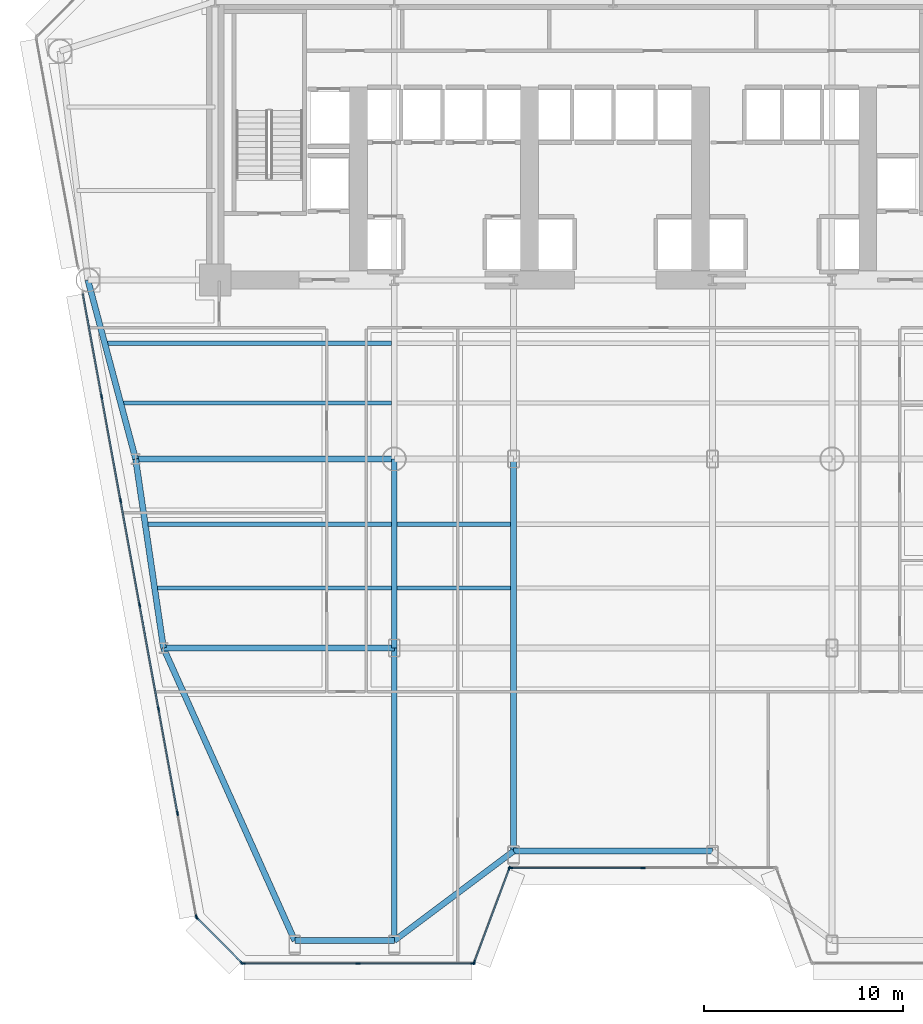
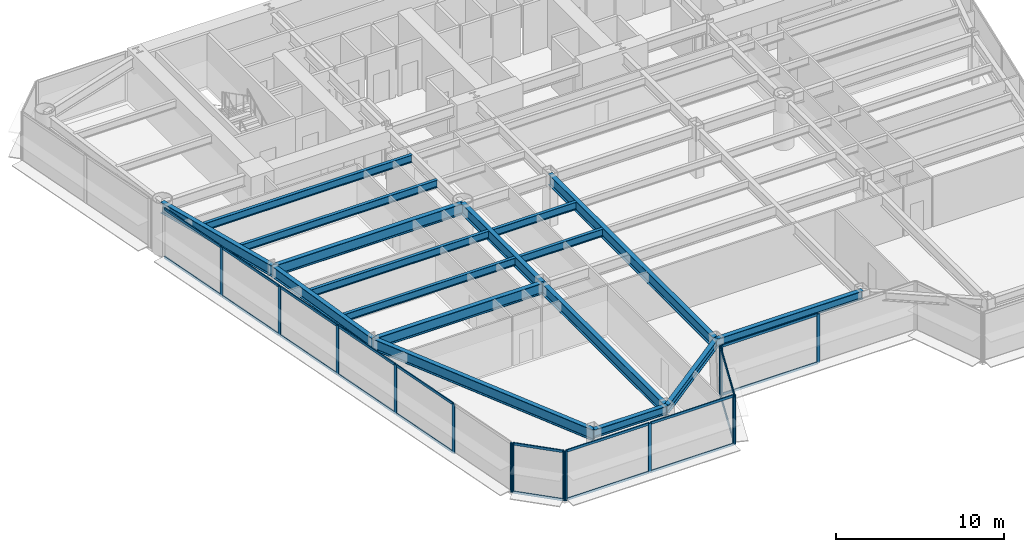
# One storey, part 2 of 14: 35 members, 17 beams, 5 elements without a shape of their own.
"""IFC4 building model written with IfcOpenShell, lengths in metres."""

from ifc_helpers import new_model, si_unit, direction, frame, origin, origin_2d, place, context, subcontext, project, spatial, rectangle, i_section, extrude, source, transform, mapped, material, layer, layer_set, material_profile, profile_set, type_object, element, aggregate, save


model = new_model("IFC4")

# Units and contexts
model_context = context("Model", 3, precision=1e-05, world=origin(), true_north=direction((0.0, 1.0)))
body_context = subcontext(model_context, "Body", "Model", "MODEL_VIEW")
ifc_project = project(units=[si_unit("LENGTHUNIT", "METRE"), si_unit("AREAUNIT", "SQUARE_METRE"), si_unit("VOLUMEUNIT", "CUBIC_METRE"), si_unit("PLANEANGLEUNIT", "RADIAN"), si_unit("MASSUNIT", "GRAM", prefix="KILO")], contexts=[model_context])

# Site, building, storey
site_placement = place(None, origin())
site = spatial("IfcSite", under=ifc_project, at=site_placement, CompositionType="ELEMENT")
building_placement = place(site_placement, origin())
building = spatial("IfcBuilding", under=site, at=building_placement, Name="Vaeldorn Concourse Tower", CompositionType="ELEMENT")
storey_placement = place(building_placement, frame((0.0, 0.0, 53.0)))
storey = spatial("IfcBuildingStorey", under=building, at=storey_placement, Name="L13", CompositionType="ELEMENT", Elevation=53.0)

# Beams
ifc_material_1 = material(Name="Steel S355", Category="steel")
ifc_material_profile_1 = material_profile(ifc_material_1, i_section(OverallWidth=0.300048828125, OverallDepth=0.800048828125, WebThickness=0.017578125, FlangeThickness=0.032958984375, FilletRadius=0.030029296875, at=origin_2d()), Name="HEB 800")
ifc_profile_set_1 = profile_set([ifc_material_profile_1], Name="Steel S355")
beam_type_1 = type_object("IfcBeamType", Name="BM-PG-HEB800", PredefinedType="BEAM", material=ifc_profile_set_1)
shared_shape_1 = source(origin(), body_context, "Body", "SweptSolid", [
    extrude(i_section(OverallWidth=0.300048828125, OverallDepth=0.800048828125, WebThickness=0.017578125, FlangeThickness=0.032958984375, FilletRadius=0.030029296875, at=origin_2d()), origin(), (0.0, 0.0, 1.0), 9.314453125),
])
beam_1_placement = place(storey_placement, frame((7.60009765625, 36.5, 3.179931640625), z_axis=(0.257652862255, -0.966237549763, 0.0), x_axis=(0.966237549763, 0.257652862255, 0.0)))
element("IfcBeam", 1, at=beam_1_placement, inside=storey, type_object=beam_type_1, Name="Beam BM-L13-C-NW2-C-FLW1", PredefinedType="BEAM", context=body_context, shape_type="MappedRepresentation", body=[
    mapped(shared_shape_1, transform((0.0, 0.0, 0.0), scale=1.0)),
])
shared_shape_2 = source(origin(), body_context, "Body", "SweptSolid", [
    extrude(i_section(OverallWidth=0.300048828125, OverallDepth=0.800048828125, WebThickness=0.017578125, FlangeThickness=0.032958984375, FilletRadius=0.030029296875, at=origin_2d()), origin(), (0.0, 0.0, 1.0), 13.0),
])
beam_2_placement = place(storey_placement, frame((10.0, 27.5, 3.179931640625), z_axis=(1.0, 0.0, 0.0), x_axis=(0.0, 1.0, 0.0)))
element("IfcBeam", 2, at=beam_2_placement, inside=storey, type_object=beam_type_1, Name="Beam BM-L13-C-FLW1-C-TW1", PredefinedType="BEAM", context=body_context, shape_type="MappedRepresentation", body=[
    mapped(shared_shape_2, transform((0.0, 0.0, 0.0), scale=1.0)),
])
ifc_material_profile_2 = material_profile(ifc_material_1, i_section(OverallWidth=0.300048828125, OverallDepth=0.60009765625, WebThickness=0.015380859375, FlangeThickness=0.030029296875, FilletRadius=0.027099609375, at=origin_2d()), Name="HEB 600")
ifc_profile_set_2 = profile_set([ifc_material_profile_2], Name="Steel S355")
beam_type_2 = type_object("IfcBeamType", Name="BM-SP-HEB600", PredefinedType="SPANDREL", material=ifc_profile_set_2)
shared_shape_3 = source(origin(), body_context, "Body", "SweptSolid", [
    extrude(i_section(OverallWidth=0.300048828125, OverallDepth=0.60009765625, WebThickness=0.015380859375, FlangeThickness=0.030029296875, FilletRadius=0.027099609375, at=origin_2d()), origin(), (0.0, 0.0, 1.0), 5.0),
])
beam_3_placement = place(storey_placement, frame((18.0, 3.290771484375, 3.280029296875), z_axis=(1.0, 0.0, 0.0), x_axis=(0.0, 1.0, 0.0)))
element("IfcBeam", 3, at=beam_3_placement, inside=storey, type_object=beam_type_2, Name="Beam BM-L13-C-SF1-C-SF2", PredefinedType="SPANDREL", context=body_context, shape_type="MappedRepresentation", body=[
    mapped(shared_shape_3, transform((0.0, 0.0, 0.0), scale=1.0)),
])
shared_shape_4 = source(origin(), body_context, "Body", "SweptSolid", [
    extrude(i_section(OverallWidth=0.300048828125, OverallDepth=0.60009765625, WebThickness=0.015380859375, FlangeThickness=0.030029296875, FilletRadius=0.027099609375, at=origin_2d()), origin(), (0.0, 0.0, 1.0), 7.5),
])
beam_4_placement = place(storey_placement, frame((23.0, 3.290771484375, 3.280029296875), z_axis=(0.8, 0.6, 0.0), x_axis=(-0.6, 0.8, 0.0)))
element("IfcBeam", 4, at=beam_4_placement, inside=storey, type_object=beam_type_2, Name="Beam BM-L13-C-SF2-C-SF3", PredefinedType="SPANDREL", context=body_context, shape_type="MappedRepresentation", body=[
    mapped(shared_shape_4, transform((0.0, 0.0, 0.0), scale=1.0)),
])
shared_shape_5 = source(origin(), body_context, "Body", "SweptSolid", [
    extrude(i_section(OverallWidth=0.300048828125, OverallDepth=0.60009765625, WebThickness=0.015380859375, FlangeThickness=0.030029296875, FilletRadius=0.027099609375, at=origin_2d()), origin(), (0.0, 0.0, 1.0), 10.0),
])
beam_5_placement = place(storey_placement, frame((29.0, 7.790771484375, 3.280029296875), z_axis=(1.0, 0.0, 0.0), x_axis=(0.0, 1.0, 0.0)))
element("IfcBeam", 5, at=beam_5_placement, inside=storey, type_object=beam_type_2, Name="Beam BM-L13-C-SF3-C-SF4", PredefinedType="SPANDREL", context=body_context, shape_type="MappedRepresentation", body=[
    mapped(shared_shape_5, transform((0.0, 0.0, 0.0), scale=1.0)),
])
shared_shape_6 = source(origin(), body_context, "Body", "SweptSolid", [
    extrude(i_section(OverallWidth=0.300048828125, OverallDepth=0.800048828125, WebThickness=0.017578125, FlangeThickness=0.032958984375, FilletRadius=0.030029296875, at=origin_2d()), origin(), (0.0, 0.0, 1.0), 9.6025390625),
])
beam_6_placement = place(storey_placement, frame((10.0, 27.5, 3.179931640625), z_axis=(0.145783835977, -0.989316467652, 0.0), x_axis=(0.989316467652, 0.145783835977, 0.0)))
element("IfcBeam", 6, at=beam_6_placement, inside=storey, type_object=beam_type_1, Name="Beam BM-L13-C-FLW1-C-FLW2", PredefinedType="BEAM", context=body_context, shape_type="MappedRepresentation", body=[
    mapped(shared_shape_6, transform((0.0, 0.0, 0.0), scale=1.0)),
])
shared_shape_7 = source(origin(), body_context, "Body", "SweptSolid", [
    extrude(i_section(OverallWidth=0.300048828125, OverallDepth=0.800048828125, WebThickness=0.017578125, FlangeThickness=0.032958984375, FilletRadius=0.030029296875, at=origin_2d()), origin(), (0.0, 0.0, 1.0), 11.60009765625),
])
beam_7_placement = place(storey_placement, frame((11.39990234375, 18.0, 3.179931640625), z_axis=(1.0, 0.0, 0.0), x_axis=(0.0, 1.0, 0.0)))
element("IfcBeam", 7, at=beam_7_placement, inside=storey, type_object=beam_type_1, Name="Beam BM-L13-C-FLW2-C-TW5", PredefinedType="BEAM", context=body_context, shape_type="MappedRepresentation", body=[
    mapped(shared_shape_7, transform((0.0, 0.0, 0.0), scale=1.0)),
])
shared_shape_8 = source(origin(), body_context, "Body", "SweptSolid", [
    extrude(i_section(OverallWidth=0.300048828125, OverallDepth=0.800048828125, WebThickness=0.017578125, FlangeThickness=0.032958984375, FilletRadius=0.030029296875, at=origin_2d()), origin(), (0.0, 0.0, 1.0), 9.5),
])
beam_8_placement = place(storey_placement, frame((23.0, 18.0, 3.179931640625), z_axis=(0.0, 1.0, 0.0), x_axis=(-1.0, 0.0, 0.0)))
element("IfcBeam", 8, at=beam_8_placement, inside=storey, type_object=beam_type_1, Name="Beam BM-L13-C-TW5-C-TW1", PredefinedType="BEAM", context=body_context, shape_type="MappedRepresentation", body=[
    mapped(shared_shape_8, transform((0.0, 0.0, 0.0), scale=1.0)),
])
ifc_material_profile_3 = material_profile(ifc_material_1, i_section(OverallWidth=0.2099609375, OverallDepth=0.550048828125, WebThickness=0.010986328125, FlangeThickness=0.01708984375, FilletRadius=0.02392578125, at=origin_2d()), Name="IPE 550")
ifc_profile_set_3 = profile_set([ifc_material_profile_3], Name="Steel S355")
beam_type_3 = type_object("IfcBeamType", Name="BM-JS-IPE550", PredefinedType="JOIST", material=ifc_profile_set_3)
shared_shape_9 = source(origin(), body_context, "Body", "SweptSolid", [
    extrude(i_section(OverallWidth=0.2099609375, OverallDepth=0.550048828125, WebThickness=0.010986328125, FlangeThickness=0.01708984375, FilletRadius=0.02392578125, at=origin_2d()), origin(), (0.0, 0.0, 1.0), 5.7001953125),
])
for number, where, z_axis, x_axis, name in (
    (9, (23.14990234375, 21.02001953125, 3.304931640625), (1.0, 0.0, 0.0), (0.0, 1.0, 0.0), "Beam JS-L13-W2-210"),
    (10, (23.14990234375, 24.219970703125, 3.304931640625), (1.0, 0.0, 0.0), (0.0, 1.0, 0.0), "Beam JS-L13-W2-242"),
):
    element("IfcBeam", number, at=place(storey_placement, frame(where, z_axis=z_axis, x_axis=x_axis)), inside=storey, type_object=beam_type_3, Name=name, PredefinedType="JOIST", context=body_context, shape_type="MappedRepresentation", body=[
        mapped(shared_shape_9, transform((0.0, 0.0, 0.0), scale=1.0)),
    ])
shared_shape_10 = source(origin(), body_context, "Body", "SweptSolid", [
    extrude(i_section(OverallWidth=0.2099609375, OverallDepth=0.550048828125, WebThickness=0.010986328125, FlangeThickness=0.01708984375, FilletRadius=0.02392578125, at=origin_2d()), origin(), (0.0, 0.0, 1.0), 11.7451171875),
])
beam_9_placement = place(storey_placement, frame((11.10498046875, 21.02001953125, 3.304931640625), z_axis=(1.0, 0.0, 0.0), x_axis=(0.0, 1.0, 0.0)))
element("IfcBeam", 11, at=beam_9_placement, inside=storey, type_object=beam_type_3, Name="Beam JS-L13-W1-210", PredefinedType="JOIST", context=body_context, shape_type="MappedRepresentation", body=[
    mapped(shared_shape_10, transform((0.0, 0.0, 0.0), scale=1.0)),
])
shared_shape_11 = source(origin(), body_context, "Body", "SweptSolid", [
    extrude(i_section(OverallWidth=0.2099609375, OverallDepth=0.550048828125, WebThickness=0.010986328125, FlangeThickness=0.01708984375, FilletRadius=0.02392578125, at=origin_2d()), origin(), (0.0, 0.0, 1.0), 12.216796875),
])
beam_10_placement = place(storey_placement, frame((10.63330078125, 24.219970703125, 3.304931640625), z_axis=(1.0, 0.0, 0.0), x_axis=(0.0, 1.0, 0.0)))
element("IfcBeam", 12, at=beam_10_placement, inside=storey, type_object=beam_type_3, Name="Beam JS-L13-W1-242", PredefinedType="JOIST", context=body_context, shape_type="MappedRepresentation", body=[
    mapped(shared_shape_11, transform((0.0, 0.0, 0.0), scale=1.0)),
])
shared_shape_12 = source(origin(), body_context, "Body", "SweptSolid", [
    extrude(i_section(OverallWidth=0.2099609375, OverallDepth=0.550048828125, WebThickness=0.010986328125, FlangeThickness=0.01708984375, FilletRadius=0.02392578125, at=origin_2d()), origin(), (0.0, 0.0, 1.0), 13.4521484375),
])
beam_11_placement = place(storey_placement, frame((9.39794921875, 30.320068359375, 3.304931640625), z_axis=(1.0, 0.0, 0.0), x_axis=(0.0, 1.0, 0.0)))
element("IfcBeam", 13, at=beam_11_placement, inside=storey, type_object=beam_type_3, Name="Beam JS-L13-W1-303", PredefinedType="JOIST", context=body_context, shape_type="MappedRepresentation", body=[
    mapped(shared_shape_12, transform((0.0, 0.0, 0.0), scale=1.0)),
])
shared_shape_13 = source(origin(), body_context, "Body", "SweptSolid", [
    extrude(i_section(OverallWidth=0.2099609375, OverallDepth=0.550048828125, WebThickness=0.010986328125, FlangeThickness=0.01708984375, FilletRadius=0.02392578125, at=origin_2d()), origin(), (0.0, 0.0, 1.0), 14.252197265625),
])
beam_12_placement = place(storey_placement, frame((8.597900390625, 33.320068359375, 3.304931640625), z_axis=(1.0, 0.0, 0.0), x_axis=(0.0, 1.0, 0.0)))
element("IfcBeam", 14, at=beam_12_placement, inside=storey, type_object=beam_type_3, Name="Beam JS-L13-W1-333", PredefinedType="JOIST", context=body_context, shape_type="MappedRepresentation", body=[
    mapped(shared_shape_13, transform((0.0, 0.0, 0.0), scale=1.0)),
])
shared_shape_14 = source(origin(), body_context, "Body", "SweptSolid", [
    extrude(i_section(OverallWidth=0.300048828125, OverallDepth=0.800048828125, WebThickness=0.017578125, FlangeThickness=0.032958984375, FilletRadius=0.030029296875, at=origin_2d()), origin(), (0.0, 0.0, 1.0), 16.1220703125),
])
beam_13_placement = place(storey_placement, frame((18.0, 3.290771484375, 3.179931640625), z_axis=(-0.409381547022, 0.912363276857, 0.0), x_axis=(-0.912363276857, -0.409381547022, 0.0)))
element("IfcBeam", 15, at=beam_13_placement, inside=storey, type_object=beam_type_1, Name="Beam BM-L13-C-SF1-C-FLW2", PredefinedType="BEAM", context=body_context, shape_type="MappedRepresentation", body=[
    mapped(shared_shape_14, transform((0.0, 0.0, 0.0), scale=1.0)),
])
shared_shape_15 = source(origin(), body_context, "Body", "SweptSolid", [
    extrude(i_section(OverallWidth=0.300048828125, OverallDepth=0.800048828125, WebThickness=0.017578125, FlangeThickness=0.032958984375, FilletRadius=0.030029296875, at=origin_2d()), origin(), (0.0, 0.0, 1.0), 14.709228515625),
])
beam_14_placement = place(storey_placement, frame((23.0, 3.290771484375, 3.179931640625), z_axis=(0.0, 1.0, 0.0), x_axis=(-1.0, 0.0, 0.0)))
element("IfcBeam", 16, at=beam_14_placement, inside=storey, type_object=beam_type_1, Name="Beam BM-L13-C-SF2-C-TW5", PredefinedType="BEAM", context=body_context, shape_type="MappedRepresentation", body=[
    mapped(shared_shape_15, transform((0.0, 0.0, 0.0), scale=1.0)),
])
shared_shape_16 = source(origin(), body_context, "Body", "SweptSolid", [
    extrude(i_section(OverallWidth=0.300048828125, OverallDepth=0.800048828125, WebThickness=0.017578125, FlangeThickness=0.032958984375, FilletRadius=0.030029296875, at=origin_2d()), origin(), (0.0, 0.0, 1.0), 19.709228515625),
])
beam_15_placement = place(storey_placement, frame((29.0, 7.790771484375, 3.179931640625), z_axis=(0.0, 1.0, 0.0), x_axis=(-1.0, 0.0, 0.0)))
element("IfcBeam", 17, at=beam_15_placement, inside=storey, type_object=beam_type_1, Name="Beam BM-L13-C-SF3-C-TW2", PredefinedType="BEAM", context=body_context, shape_type="MappedRepresentation", body=[
    mapped(shared_shape_16, transform((0.0, 0.0, 0.0), scale=1.0)),
])

# Curtain wall, members
ifc_material_2 = material(Name="Anodised Bronze Aluminium", Category="aluminium")
ifc_layer = layer(ifc_material_2, 0.219970703125)
ifc_layer_set = layer_set([ifc_layer], Name="Anodised Bronze Aluminium")
curtain_wall_type = type_object("IfcCurtainWallType", Name="CW-SYS-01", PredefinedType="NOTDEFINED", material=ifc_layer_set)
curtain_wall_1_placement = place(storey_placement, origin())
curtain_wall_1 = element("IfcCurtainWall", 18, at=curtain_wall_1_placement, inside=storey, type_object=curtain_wall_type, Name="Unitised Curtain Wall CW-L13-E03-1", PredefinedType="NOTDEFINED")
ifc_material_profile_4 = material_profile(ifc_material_2, rectangle(XDim=0.074951171875, YDim=0.179931640625, at=origin_2d()), Name="CWT 75x180")
ifc_profile_set_4 = profile_set([ifc_material_profile_4], Name="Anodised Bronze Aluminium")
member_type_1 = type_object("IfcMemberType", Name="CWT-BRONZE-180", PredefinedType="USERDEFINED", material=ifc_profile_set_4)
shared_shape_17 = source(origin(), body_context, "Body", "SweptSolid", [
    extrude(rectangle(XDim=0.074951171875, YDim=0.179931640625, at=origin_2d()), origin(), (0.0, 0.0, 1.0), 6.58740234375),
])
member_1_placement = place(storey_placement, frame((28.875, 6.95166015625, 0.03759765625), z_axis=(1.0, 0.0, 0.0), x_axis=(0.0, 1.0, 0.0)))
member_1 = element("IfcMember", 19, at=member_1_placement, type_object=member_type_1, Name="CW-01 transom 1.1", ObjectType="TRANSOM", PredefinedType="USERDEFINED", context=body_context, shape_type="MappedRepresentation", body=[
    mapped(shared_shape_17, transform((0.0, 0.0, 0.0), scale=1.0)),
])
member_2_placement = place(storey_placement, frame((28.875, 6.95166015625, 3.54248046875), z_axis=(1.0, 0.0, 0.0), x_axis=(0.0, 1.0, 0.0)))
member_2 = element("IfcMember", 20, at=member_2_placement, type_object=member_type_1, Name="CW-01 transom 1.2", ObjectType="TRANSOM", PredefinedType="USERDEFINED", context=body_context, shape_type="MappedRepresentation", body=[
    mapped(shared_shape_17, transform((0.0, 0.0, 0.0), scale=1.0)),
])

curtain_wall_2_placement = place(storey_placement, origin())
curtain_wall_2 = element("IfcCurtainWall", 21, at=curtain_wall_2_placement, inside=storey, type_object=curtain_wall_type, Name="Unitised Curtain Wall CW-L13-E02-1", PredefinedType="NOTDEFINED")
shared_shape_18 = source(origin(), body_context, "Body", "SweptSolid", [
    extrude(rectangle(XDim=0.074951171875, YDim=0.179931640625, at=origin_2d()), origin(), (0.0, 0.0, 1.0), 4.9765625),
])
member_3_placement = place(storey_placement, frame((27.0263671875, 2.221923828125, 0.03759765625), z_axis=(0.351112688987, 0.936333209724, 0.0), x_axis=(-0.936333209724, 0.351112688987, 0.0)))
member_3 = element("IfcMember", 22, at=member_3_placement, type_object=member_type_1, Name="CW-01 transom 1.1", ObjectType="TRANSOM", PredefinedType="USERDEFINED", context=body_context, shape_type="MappedRepresentation", body=[
    mapped(shared_shape_18, transform((0.0, 0.0, 0.0), scale=1.0)),
])
member_4_placement = place(storey_placement, frame((27.0263671875, 2.221923828125, 3.54248046875), z_axis=(0.351112688987, 0.936333209724, 0.0), x_axis=(-0.936333209724, 0.351112688987, 0.0)))
member_4 = element("IfcMember", 23, at=member_4_placement, type_object=member_type_1, Name="CW-01 transom 1.2", ObjectType="TRANSOM", PredefinedType="USERDEFINED", context=body_context, shape_type="MappedRepresentation", body=[
    mapped(shared_shape_18, transform((0.0, 0.0, 0.0), scale=1.0)),
])

curtain_wall_3_placement = place(storey_placement, origin())
curtain_wall_3 = element("IfcCurtainWall", 24, at=curtain_wall_3_placement, inside=storey, type_object=curtain_wall_type, Name="Unitised Curtain Wall CW-L13-E01-1", PredefinedType="NOTDEFINED")
ifc_material_profile_5 = material_profile(ifc_material_2, rectangle(XDim=0.074951171875, YDim=0.219970703125, at=origin_2d()), Name="CWM 75x220")
ifc_profile_set_5 = profile_set([ifc_material_profile_5], Name="Anodised Bronze Aluminium")
member_type_2 = type_object("IfcMemberType", Name="CWM-BRONZE-220", PredefinedType="MULLION", material=ifc_profile_set_5)
shared_shape_19 = source(origin(), body_context, "Body", "SweptSolid", [
    extrude(rectangle(XDim=0.074951171875, YDim=0.219970703125, at=origin_2d()), origin(), (0.0, 0.0, 1.0), 3.580078125),
])
member_5_placement = place(storey_placement, frame((15.3974609375, 2.151611328125, 0.0), z_axis=(0.0, 0.0, 1.0), x_axis=(0.0, 1.0, 0.0)))
member_5 = element("IfcMember", 25, at=member_5_placement, type_object=member_type_2, Name="CW-01 mullion 1", PredefinedType="MULLION", context=body_context, shape_type="MappedRepresentation", body=[
    mapped(shared_shape_19, transform((0.0, 0.0, 0.0), scale=1.0)),
])
member_6_placement = place(storey_placement, frame((21.179931640625, 2.151611328125, 0.0), z_axis=(0.0, 0.0, 1.0), x_axis=(0.0, 1.0, 0.0)))
member_6 = element("IfcMember", 26, at=member_6_placement, type_object=member_type_2, Name="CW-01 mullion 2", PredefinedType="MULLION", context=body_context, shape_type="MappedRepresentation", body=[
    mapped(shared_shape_19, transform((0.0, 0.0, 0.0), scale=1.0)),
])
member_7_placement = place(storey_placement, frame((26.96240234375, 2.151611328125, 0.0), z_axis=(0.0, 0.0, 1.0), x_axis=(0.0, 1.0, 0.0)))
member_7 = element("IfcMember", 27, at=member_7_placement, type_object=member_type_2, Name="CW-01 mullion 3", PredefinedType="MULLION", context=body_context, shape_type="MappedRepresentation", body=[
    mapped(shared_shape_19, transform((0.0, 0.0, 0.0), scale=1.0)),
])

# Member
member_8_placement = place(storey_placement, frame((27.01318359375, 2.186767578125, 0.0), z_axis=(0.0, 0.0, 1.0), x_axis=(-0.936329177566, 0.351123441595, 0.0)))
member_8 = element("IfcMember", 28, at=member_8_placement, type_object=member_type_2, Name="CW-01 mullion 1", PredefinedType="MULLION", context=body_context, shape_type="MappedRepresentation", body=[
    mapped(shared_shape_19, transform((0.0, 0.0, 0.0), scale=1.0)),
])

member_9_placement = place(storey_placement, frame((28.786865234375, 6.91650390625, 0.0), z_axis=(0.0, 0.0, 1.0), x_axis=(-0.936329177566, 0.351123441595, 0.0)))
member_9 = element("IfcMember", 29, at=member_9_placement, type_object=member_type_2, Name="CW-01 mullion 2", PredefinedType="MULLION", context=body_context, shape_type="MappedRepresentation", body=[
    mapped(shared_shape_19, transform((0.0, 0.0, 0.0), scale=1.0)),
])

aggregate(curtain_wall_2, [member_8, member_9, member_3, member_4])

member_10_placement = place(storey_placement, frame((28.83740234375, 6.95166015625, 0.0), z_axis=(0.0, 0.0, 1.0), x_axis=(0.0, 1.0, 0.0)))
member_10 = element("IfcMember", 30, at=member_10_placement, type_object=member_type_2, Name="CW-01 mullion 1", PredefinedType="MULLION", context=body_context, shape_type="MappedRepresentation", body=[
    mapped(shared_shape_19, transform((0.0, 0.0, 0.0), scale=1.0)),
])

member_11_placement = place(storey_placement, frame((35.5, 6.95166015625, 0.0), z_axis=(0.0, 0.0, 1.0), x_axis=(0.0, 1.0, 0.0)))
member_11 = element("IfcMember", 31, at=member_11_placement, type_object=member_type_2, Name="CW-01 mullion 2", PredefinedType="MULLION", context=body_context, shape_type="MappedRepresentation", body=[
    mapped(shared_shape_19, transform((0.0, 0.0, 0.0), scale=1.0)),
])

aggregate(curtain_wall_1, [member_10, member_11, member_1, member_2])

# Curtain wall, members
curtain_wall_4_placement = place(storey_placement, origin())
curtain_wall_4 = element("IfcCurtainWall", 32, at=curtain_wall_4_placement, inside=storey, type_object=curtain_wall_type, Name="Unitised Curtain Wall CW-L13-E11-2", PredefinedType="NOTDEFINED")
member_12_placement = place(storey_placement, frame((8.289306640625, 30.642333984375, 0.0), z_axis=(0.0, 0.0, 1.0), x_axis=(0.983811609564, 0.179205794791, 0.0)))
member_12 = element("IfcMember", 33, at=member_12_placement, type_object=member_type_2, Name="CW-01 mullion 2", PredefinedType="MULLION", context=body_context, shape_type="MappedRepresentation", body=[
    mapped(shared_shape_19, transform((0.0, 0.0, 0.0), scale=1.0)),
])
member_13_placement = place(storey_placement, frame((9.243408203125, 25.404296875, 0.0), z_axis=(0.0, 0.0, 1.0), x_axis=(0.983811609564, 0.179205794791, 0.0)))
member_13 = element("IfcMember", 34, at=member_13_placement, type_object=member_type_2, Name="CW-01 mullion 3", PredefinedType="MULLION", context=body_context, shape_type="MappedRepresentation", body=[
    mapped(shared_shape_19, transform((0.0, 0.0, 0.0), scale=1.0)),
])
member_14_placement = place(storey_placement, frame((10.197509765625, 20.166015625, 0.0), z_axis=(0.0, 0.0, 1.0), x_axis=(0.983811609564, 0.179205794791, 0.0)))
member_14 = element("IfcMember", 35, at=member_14_placement, type_object=member_type_2, Name="CW-01 mullion 4", PredefinedType="MULLION", context=body_context, shape_type="MappedRepresentation", body=[
    mapped(shared_shape_19, transform((0.0, 0.0, 0.0), scale=1.0)),
])
member_15_placement = place(storey_placement, frame((11.151611328125, 14.927978515625, 0.0), z_axis=(0.0, 0.0, 1.0), x_axis=(0.983811609564, 0.179205794791, 0.0)))
member_15 = element("IfcMember", 36, at=member_15_placement, type_object=member_type_2, Name="CW-01 mullion 5", PredefinedType="MULLION", context=body_context, shape_type="MappedRepresentation", body=[
    mapped(shared_shape_19, transform((0.0, 0.0, 0.0), scale=1.0)),
])
member_16_placement = place(storey_placement, frame((12.10595703125, 9.68994140625, 0.0), z_axis=(0.0, 0.0, 1.0), x_axis=(0.983811609564, 0.179205794791, 0.0)))
member_16 = element("IfcMember", 37, at=member_16_placement, type_object=member_type_2, Name="CW-01 mullion 6", PredefinedType="MULLION", context=body_context, shape_type="MappedRepresentation", body=[
    mapped(shared_shape_19, transform((0.0, 0.0, 0.0), scale=1.0)),
])
member_17_placement = place(storey_placement, frame((13.05322265625, 4.488525390625, 0.0), z_axis=(0.0, 0.0, 1.0), x_axis=(0.983811609564, 0.179205794791, 0.0)))
member_17 = element("IfcMember", 38, at=member_17_placement, type_object=member_type_2, Name="CW-01 mullion 7", PredefinedType="MULLION", context=body_context, shape_type="MappedRepresentation", body=[
    mapped(shared_shape_19, transform((0.0, 0.0, 0.0), scale=1.0)),
])

curtain_wall_5_placement = place(storey_placement, origin())
curtain_wall_5 = element("IfcCurtainWall", 39, at=curtain_wall_5_placement, inside=storey, type_object=curtain_wall_type, Name="Unitised Curtain Wall CW-L13-E12-1", PredefinedType="NOTDEFINED")
member_18_placement = place(storey_placement, frame((13.08642578125, 4.42529296875, 0.0), z_axis=(0.0, 0.0, 1.0), x_axis=(0.707106781187, 0.707106781187, 0.0)))
member_18 = element("IfcMember", 40, at=member_18_placement, type_object=member_type_2, Name="CW-01 mullion 1", PredefinedType="MULLION", context=body_context, shape_type="MappedRepresentation", body=[
    mapped(shared_shape_19, transform((0.0, 0.0, 0.0), scale=1.0)),
])
member_19_placement = place(storey_placement, frame((15.33349609375, 2.17822265625, 0.0), z_axis=(0.0, 0.0, 1.0), x_axis=(0.707106781187, 0.707106781187, 0.0)))
member_19 = element("IfcMember", 41, at=member_19_placement, type_object=member_type_2, Name="CW-01 mullion 2", PredefinedType="MULLION", context=body_context, shape_type="MappedRepresentation", body=[
    mapped(shared_shape_19, transform((0.0, 0.0, 0.0), scale=1.0)),
])
shared_shape_20 = source(origin(), body_context, "Body", "SweptSolid", [
    extrude(rectangle(XDim=0.074951171875, YDim=0.179931640625, at=origin_2d()), origin(), (0.0, 0.0, 1.0), 3.1025390625),
])
member_20_placement = place(storey_placement, frame((13.113037109375, 4.398681640625, 0.03759765625), z_axis=(0.707106781187, -0.707106781187, 0.0), x_axis=(0.707106781187, 0.707106781187, 0.0)))
member_20 = element("IfcMember", 42, at=member_20_placement, type_object=member_type_1, Name="CW-01 transom 1.1", ObjectType="TRANSOM", PredefinedType="USERDEFINED", context=body_context, shape_type="MappedRepresentation", body=[
    mapped(shared_shape_20, transform((0.0, 0.0, 0.0), scale=1.0)),
])
member_21_placement = place(storey_placement, frame((13.113037109375, 4.398681640625, 3.54248046875), z_axis=(0.707106781187, -0.707106781187, 0.0), x_axis=(0.707106781187, 0.707106781187, 0.0)))
member_21 = element("IfcMember", 43, at=member_21_placement, type_object=member_type_1, Name="CW-01 transom 1.2", ObjectType="TRANSOM", PredefinedType="USERDEFINED", context=body_context, shape_type="MappedRepresentation", body=[
    mapped(shared_shape_20, transform((0.0, 0.0, 0.0), scale=1.0)),
])
aggregate(curtain_wall_5, [member_18, member_19, member_20, member_21])

# Member
shared_shape_21 = source(origin(), body_context, "Body", "SweptSolid", [
    extrude(rectangle(XDim=0.074951171875, YDim=0.179931640625, at=origin_2d()), origin(), (0.0, 0.0, 1.0), 5.70751953125),
])
member_22_placement = place(storey_placement, frame((15.43505859375, 2.151611328125, 0.03759765625), z_axis=(1.0, 0.0, 0.0), x_axis=(0.0, 1.0, 0.0)))
member_22 = element("IfcMember", 44, at=member_22_placement, type_object=member_type_1, Name="CW-01 transom 1.1", ObjectType="TRANSOM", PredefinedType="USERDEFINED", context=body_context, shape_type="MappedRepresentation", body=[
    mapped(shared_shape_21, transform((0.0, 0.0, 0.0), scale=1.0)),
])

member_23_placement = place(storey_placement, frame((15.43505859375, 2.151611328125, 3.54248046875), z_axis=(1.0, 0.0, 0.0), x_axis=(0.0, 1.0, 0.0)))
member_23 = element("IfcMember", 45, at=member_23_placement, type_object=member_type_1, Name="CW-01 transom 1.2", ObjectType="TRANSOM", PredefinedType="USERDEFINED", context=body_context, shape_type="MappedRepresentation", body=[
    mapped(shared_shape_21, transform((0.0, 0.0, 0.0), scale=1.0)),
])

member_24_placement = place(storey_placement, frame((21.217529296875, 2.151611328125, 0.03759765625), z_axis=(1.0, 0.0, 0.0), x_axis=(0.0, 1.0, 0.0)))
member_24 = element("IfcMember", 46, at=member_24_placement, type_object=member_type_1, Name="CW-01 transom 2.1", ObjectType="TRANSOM", PredefinedType="USERDEFINED", context=body_context, shape_type="MappedRepresentation", body=[
    mapped(shared_shape_21, transform((0.0, 0.0, 0.0), scale=1.0)),
])

member_25_placement = place(storey_placement, frame((21.217529296875, 2.151611328125, 3.54248046875), z_axis=(1.0, 0.0, 0.0), x_axis=(0.0, 1.0, 0.0)))
member_25 = element("IfcMember", 47, at=member_25_placement, type_object=member_type_1, Name="CW-01 transom 2.2", ObjectType="TRANSOM", PredefinedType="USERDEFINED", context=body_context, shape_type="MappedRepresentation", body=[
    mapped(shared_shape_21, transform((0.0, 0.0, 0.0), scale=1.0)),
])

aggregate(curtain_wall_3, [member_5, member_6, member_7, member_22, member_23, member_24, member_25])

shared_shape_22 = source(origin(), body_context, "Body", "SweptSolid", [
    extrude(rectangle(XDim=0.074951171875, YDim=0.179931640625, at=origin_2d()), origin(), (0.0, 0.0, 1.0), 5.249267578125),
])
member_26_placement = place(storey_placement, frame((8.2958984375, 30.60546875, 0.03759765625), z_axis=(0.179200576468, -0.983812560091, 0.0), x_axis=(0.983812560091, 0.179200576468, 0.0)))
member_26 = element("IfcMember", 48, at=member_26_placement, type_object=member_type_1, Name="CW-01 transom 2.1", ObjectType="TRANSOM", PredefinedType="USERDEFINED", context=body_context, shape_type="MappedRepresentation", body=[
    mapped(shared_shape_22, transform((0.0, 0.0, 0.0), scale=1.0)),
])

member_27_placement = place(storey_placement, frame((8.2958984375, 30.60546875, 3.54248046875), z_axis=(0.179200576468, -0.983812560091, 0.0), x_axis=(0.983812560091, 0.179200576468, 0.0)))
member_27 = element("IfcMember", 49, at=member_27_placement, type_object=member_type_1, Name="CW-01 transom 2.2", ObjectType="TRANSOM", PredefinedType="USERDEFINED", context=body_context, shape_type="MappedRepresentation", body=[
    mapped(shared_shape_22, transform((0.0, 0.0, 0.0), scale=1.0)),
])

member_28_placement = place(storey_placement, frame((10.204345703125, 20.129150390625, 0.03759765625), z_axis=(0.179200576468, -0.983812560091, 0.0), x_axis=(0.983812560091, 0.179200576468, 0.0)))
member_28 = element("IfcMember", 50, at=member_28_placement, type_object=member_type_1, Name="CW-01 transom 4.1", ObjectType="TRANSOM", PredefinedType="USERDEFINED", context=body_context, shape_type="MappedRepresentation", body=[
    mapped(shared_shape_22, transform((0.0, 0.0, 0.0), scale=1.0)),
])

member_29_placement = place(storey_placement, frame((10.204345703125, 20.129150390625, 3.54248046875), z_axis=(0.179200576468, -0.983812560091, 0.0), x_axis=(0.983812560091, 0.179200576468, 0.0)))
member_29 = element("IfcMember", 51, at=member_29_placement, type_object=member_type_1, Name="CW-01 transom 4.2", ObjectType="TRANSOM", PredefinedType="USERDEFINED", context=body_context, shape_type="MappedRepresentation", body=[
    mapped(shared_shape_22, transform((0.0, 0.0, 0.0), scale=1.0)),
])

member_30_placement = place(storey_placement, frame((11.158447265625, 14.89111328125, 0.03759765625), z_axis=(0.179200576468, -0.983812560091, 0.0), x_axis=(0.983812560091, 0.179200576468, 0.0)))
member_30 = element("IfcMember", 52, at=member_30_placement, type_object=member_type_1, Name="CW-01 transom 5.1", ObjectType="TRANSOM", PredefinedType="USERDEFINED", context=body_context, shape_type="MappedRepresentation", body=[
    mapped(shared_shape_22, transform((0.0, 0.0, 0.0), scale=1.0)),
])

member_31_placement = place(storey_placement, frame((11.158447265625, 14.89111328125, 3.54248046875), z_axis=(0.179200576468, -0.983812560091, 0.0), x_axis=(0.983812560091, 0.179200576468, 0.0)))
member_31 = element("IfcMember", 53, at=member_31_placement, type_object=member_type_1, Name="CW-01 transom 5.2", ObjectType="TRANSOM", PredefinedType="USERDEFINED", context=body_context, shape_type="MappedRepresentation", body=[
    mapped(shared_shape_22, transform((0.0, 0.0, 0.0), scale=1.0)),
])

shared_shape_23 = source(origin(), body_context, "Body", "SweptSolid", [
    extrude(rectangle(XDim=0.074951171875, YDim=0.179931640625, at=origin_2d()), origin(), (0.0, 0.0, 1.0), 5.24951171875),
])
member_32_placement = place(storey_placement, frame((9.25, 25.367431640625, 0.03759765625), z_axis=(0.179237390576, -0.983805853723, 0.0), x_axis=(0.983805853723, 0.179237390576, 0.0)))
member_32 = element("IfcMember", 54, at=member_32_placement, type_object=member_type_1, Name="CW-01 transom 3.1", ObjectType="TRANSOM", PredefinedType="USERDEFINED", context=body_context, shape_type="MappedRepresentation", body=[
    mapped(shared_shape_23, transform((0.0, 0.0, 0.0), scale=1.0)),
])

member_33_placement = place(storey_placement, frame((9.25, 25.367431640625, 3.54248046875), z_axis=(0.179237390576, -0.983805853723, 0.0), x_axis=(0.983805853723, 0.179237390576, 0.0)))
member_33 = element("IfcMember", 55, at=member_33_placement, type_object=member_type_1, Name="CW-01 transom 3.2", ObjectType="TRANSOM", PredefinedType="USERDEFINED", context=body_context, shape_type="MappedRepresentation", body=[
    mapped(shared_shape_23, transform((0.0, 0.0, 0.0), scale=1.0)),
])

shared_shape_24 = source(origin(), body_context, "Body", "SweptSolid", [
    extrude(rectangle(XDim=0.074951171875, YDim=0.179931640625, at=origin_2d()), origin(), (0.0, 0.0, 1.0), 5.211669921875),
])
member_34_placement = place(storey_placement, frame((7.3486328125, 35.806640625, 0.03759765625), z_axis=(0.179178111289, -0.983816651839, 0.0), x_axis=(0.983816651839, 0.179178111289, 0.0)))
member_34 = element("IfcMember", 56, at=member_34_placement, type_object=member_type_1, Name="CW-01 transom 1.1", ObjectType="TRANSOM", PredefinedType="USERDEFINED", context=body_context, shape_type="MappedRepresentation", body=[
    mapped(shared_shape_24, transform((0.0, 0.0, 0.0), scale=1.0)),
])

member_35_placement = place(storey_placement, frame((7.3486328125, 35.806640625, 3.54248046875), z_axis=(0.179178111289, -0.983816651839, 0.0), x_axis=(0.983816651839, 0.179178111289, 0.0)))
member_35 = element("IfcMember", 57, at=member_35_placement, type_object=member_type_1, Name="CW-01 transom 1.2", ObjectType="TRANSOM", PredefinedType="USERDEFINED", context=body_context, shape_type="MappedRepresentation", body=[
    mapped(shared_shape_24, transform((0.0, 0.0, 0.0), scale=1.0)),
])

aggregate(curtain_wall_4, [member_12, member_13, member_14, member_15, member_16, member_17, member_34, member_35, member_26, member_27, member_32, member_33, member_28, member_29, member_30, member_31])

save(model, "model.ifc")
